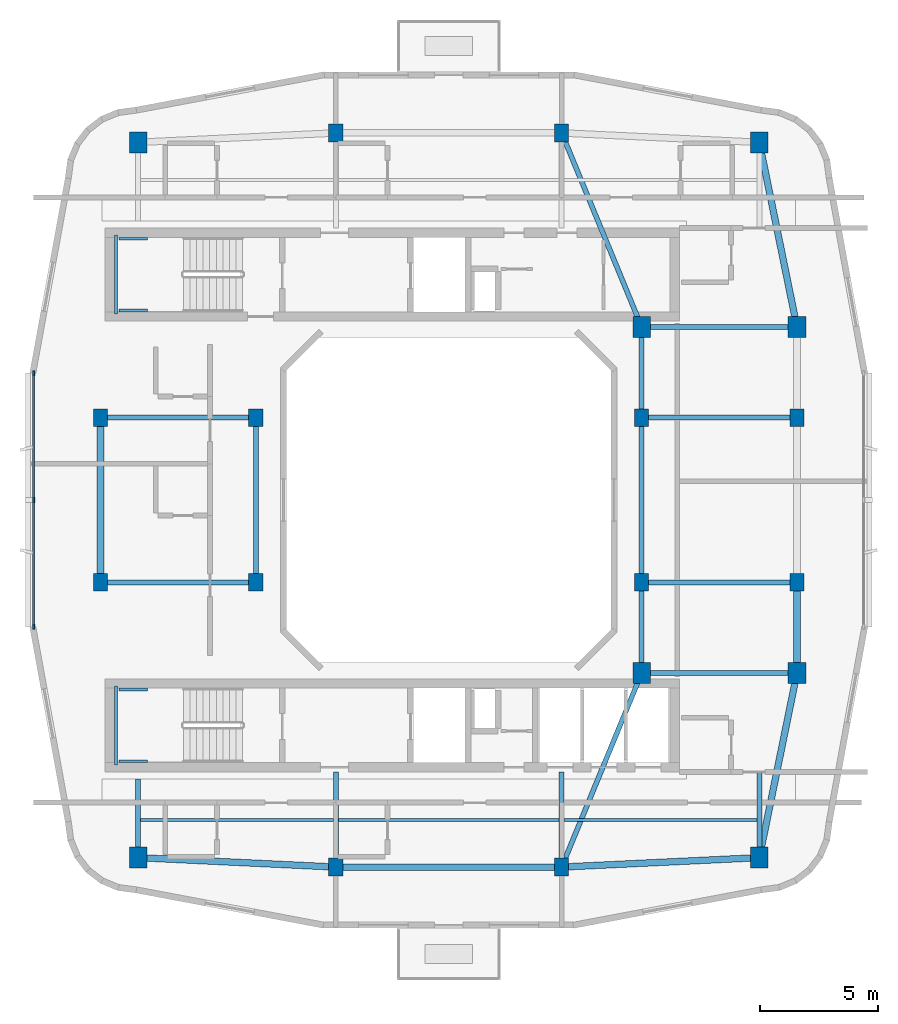
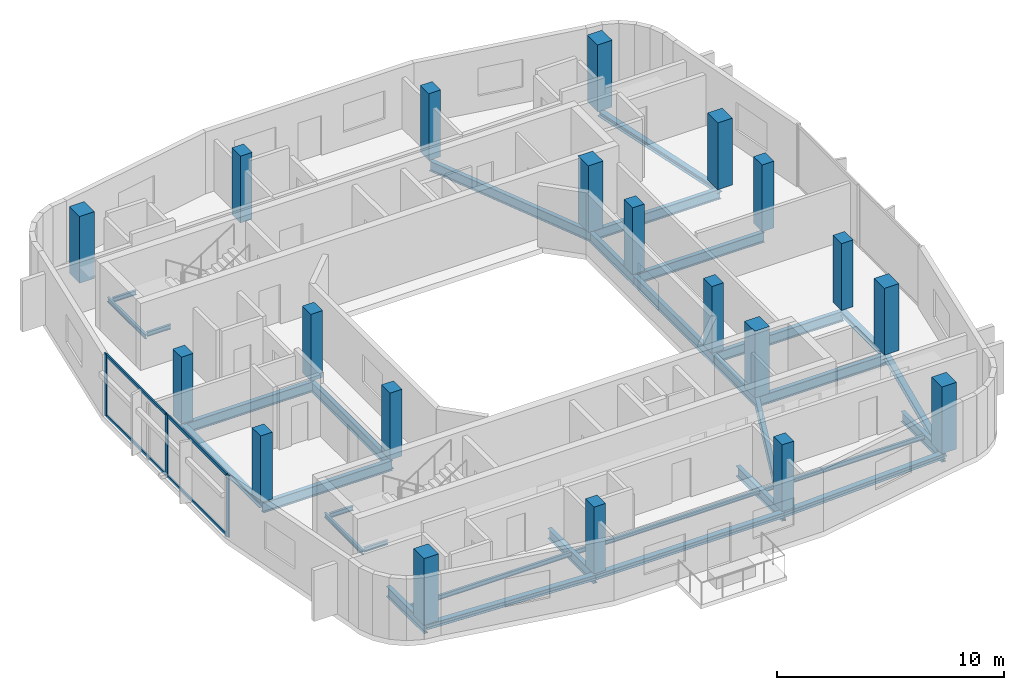
# One storey, part 1 of 10: 32 beams, 20 columns, 7 members, 1 element without a shape of its own.
"""IFC4 building model written with IfcOpenShell, lengths in metres."""

from ifc_helpers import new_model, si_unit, derived_unit, direction, frame, origin, origin_2d, place, context, subcontext, project, spatial, rectangle, i_section, extrude, material, layer, layer_set, material_profile, profile_set, type_object, element, aggregate, save


model = new_model("IFC4")

# Units and contexts
model_context = context("Model", 3, precision=1e-05, world=origin(), true_north=direction((0.0, 1.0)))
body_context = subcontext(model_context, "Body", "Model", "MODEL_VIEW")
ifc_project = project(units=[si_unit("LENGTHUNIT", "METRE"), si_unit("AREAUNIT", "SQUARE_METRE"), si_unit("VOLUMEUNIT", "CUBIC_METRE"), si_unit("PLANEANGLEUNIT", "RADIAN"), si_unit("MASSUNIT", "GRAM", prefix="KILO"), derived_unit("THERMALTRANSMITTANCEUNIT", [(si_unit("POWERUNIT", "WATT"), 1), (si_unit("LENGTHUNIT", "METRE"), -2), (si_unit("THERMODYNAMICTEMPERATUREUNIT", "KELVIN"), -1)])], contexts=[model_context])

# Site, building, storey
site_placement = place(None, origin())
site = spatial("IfcSite", under=ifc_project, at=site_placement, CompositionType="ELEMENT")
building_placement = place(site_placement, origin())
building = spatial("IfcBuilding", under=site, at=building_placement, Name="Kivonza Crest Hotel", CompositionType="ELEMENT")
storey_placement = place(building_placement, frame((0.0, 0.0, 254.0)))
storey = spatial("IfcBuildingStorey", under=building, at=storey_placement, Name="L69", CompositionType="ELEMENT", Elevation=254.0)

# Columns
ifc_material_1 = material(Name="Concrete C50/60", Category="concrete")
ifc_material_profile_1 = material_profile(ifc_material_1, rectangle(XDim=0.60009765625, YDim=0.75, at=origin_2d()), Name="RC 750x600")
ifc_profile_set_1 = profile_set([ifc_material_profile_1], Name="Concrete C50/60")
column_type_1 = type_object("IfcColumnType", Name="CL-RC-750x600", PredefinedType="COLUMN", material=ifc_profile_set_1)
for number, where, z_axis, x_axis, name in (
    (1, (16.199951171875, 9.39990234375, 0.0), (0.0, 0.0, 1.0), (1.0, 0.0, 0.0), "Tower T1 L69 column S1"),
    (2, (25.800048828125, 9.39990234375, 0.0), (0.0, 0.0, 1.0), (1.0, 0.0, 0.0), "Tower T1 L69 column S2"),
    (3, (16.199951171875, 40.60009765625, 0.0), (0.0, 0.0, 1.0), (1.0, 0.0, 0.0), "Tower T1 L69 column N1"),
    (4, (25.800048828125, 40.60009765625, 0.0), (0.0, 0.0, 1.0), (1.0, 0.0, 0.0), "Tower T1 L69 column N2"),
    (5, (6.199951171875, 21.5, 0.0), (0.0, 0.0, 1.0), (1.0, 0.0, 0.0), "Tower T1 L69 column W1"),
    (6, (6.199951171875, 28.5, 0.0), (0.0, 0.0, 1.0), (1.0, 0.0, 0.0), "Tower T1 L69 column W2"),
    (7, (35.800048828125, 21.5, 0.0), (0.0, 0.0, 1.0), (1.0, 0.0, 0.0), "Tower T1 L69 column E1"),
    (8, (35.800048828125, 28.5, 0.0), (0.0, 0.0, 1.0), (1.0, 0.0, 0.0), "Tower T1 L69 column E2"),
    (9, (12.800048828125, 21.5, 0.0), (0.0, 0.0, 1.0), (1.0, 0.0, 0.0), "Tower T1 L69 column WL1"),
    (10, (12.800048828125, 28.5, 0.0), (0.0, 0.0, 1.0), (1.0, 0.0, 0.0), "Tower T1 L69 column WL2"),
    (11, (29.199951171875, 21.5, 0.0), (0.0, 0.0, 1.0), (1.0, 0.0, 0.0), "Tower T1 L69 column WR1"),
    (12, (29.199951171875, 28.5, 0.0), (0.0, 0.0, 1.0), (1.0, 0.0, 0.0), "Tower T1 L69 column WR2"),
):
    element("IfcColumn", number, at=place(storey_placement, frame(where, z_axis=z_axis, x_axis=x_axis)), inside=storey, type_object=column_type_1, Name=name, PredefinedType="COLUMN", context=body_context, shape_type="SweptSolid", body=[
        extrude(rectangle(XDim=0.60009765625, YDim=0.75, at=origin_2d()), origin(), (0.0, 0.0, 1.0), 3.60009765625),
    ])
ifc_material_profile_2 = material_profile(ifc_material_1, rectangle(XDim=0.75, YDim=0.89990234375, at=origin_2d()), Name="RC 900x750")
ifc_profile_set_2 = profile_set([ifc_material_profile_2], Name="Concrete C50/60")
column_type_2 = type_object("IfcColumnType", Name="CL-RC-900x750", PredefinedType="COLUMN", material=ifc_profile_set_2)
for number, where, z_axis, x_axis, name in (
    (13, (7.800048828125, 9.800048828125, 0.0), (0.0, 0.0, 1.0), (1.0, 0.0, 0.0), "Tower T1 L69 column SW"),
    (14, (34.199951171875, 9.800048828125, 0.0), (0.0, 0.0, 1.0), (1.0, 0.0, 0.0), "Tower T1 L69 column SE"),
    (15, (34.199951171875, 40.199951171875, 0.0), (0.0, 0.0, 1.0), (1.0, 0.0, 0.0), "Tower T1 L69 column NE"),
    (16, (7.800048828125, 40.199951171875, 0.0), (0.0, 0.0, 1.0), (1.0, 0.0, 0.0), "Tower T1 L69 column NW"),
    (17, (35.800048828125, 17.64990234375, 0.0), (0.0, 0.0, 1.0), (1.0, 0.0, 0.0), "Tower T1 L69 column PSE"),
    (18, (35.800048828125, 32.35009765625, 0.0), (0.0, 0.0, 1.0), (1.0, 0.0, 0.0), "Tower T1 L69 column PNE"),
    (19, (29.199951171875, 17.64990234375, 0.0), (0.0, 0.0, 1.0), (1.0, 0.0, 0.0), "Tower T1 L69 column TSE"),
    (20, (29.199951171875, 32.35009765625, 0.0), (0.0, 0.0, 1.0), (1.0, 0.0, 0.0), "Tower T1 L69 column TNE"),
):
    element("IfcColumn", number, at=place(storey_placement, frame(where, z_axis=z_axis, x_axis=x_axis)), inside=storey, type_object=column_type_2, Name=name, PredefinedType="COLUMN", context=body_context, shape_type="SweptSolid", body=[
        extrude(rectangle(XDim=0.75, YDim=0.89990234375, at=origin_2d()), origin(), (0.0, 0.0, 1.0), 3.60009765625),
    ])

# Beams
ifc_material_2 = material(Name="Steel S355", Category="steel")
ifc_material_profile_3 = material_profile(ifc_material_2, i_section(OverallWidth=0.280029296875, OverallDepth=0.280029296875, WebThickness=0.010498046875, FlangeThickness=0.01806640625, FilletRadius=0.02392578125, at=origin_2d()), Name="HEB 280")
ifc_profile_set_3 = profile_set([ifc_material_profile_3], Name="Steel S355")
beam_type_1 = type_object("IfcBeamType", Name="BM-HEB280", PredefinedType="SPANDREL", material=ifc_profile_set_3)
beam_1_placement = place(storey_placement, frame((16.199951171875, 9.39990234375, -0.419921875), z_axis=(1.0, 0.0, 0.0), x_axis=(0.0, 1.0, 0.0)))
element("IfcBeam", 21, at=beam_1_placement, inside=storey, type_object=beam_type_1, Name="Tower T1 L69 perimeter spandrel S1-S2", PredefinedType="SPANDREL", context=body_context, shape_type="SweptSolid", body=[
    extrude(i_section(OverallWidth=0.280029296875, OverallDepth=0.280029296875, WebThickness=0.010498046875, FlangeThickness=0.01806640625, FilletRadius=0.02392578125, at=origin_2d()), origin(), (0.0, 0.0, 1.0), 9.60009765625),
])
beam_2_placement = place(storey_placement, frame((25.800048828125, 9.39990234375, -0.419921875), z_axis=(0.998867283688, 0.047583080799, 0.0), x_axis=(-0.047583080799, 0.998867283688, 0.0)))
element("IfcBeam", 22, at=beam_2_placement, inside=storey, type_object=beam_type_1, Name="Tower T1 L69 perimeter spandrel S2-SE", PredefinedType="SPANDREL", context=body_context, shape_type="SweptSolid", body=[
    extrude(i_section(OverallWidth=0.280029296875, OverallDepth=0.280029296875, WebThickness=0.010498046875, FlangeThickness=0.01806640625, FilletRadius=0.02392578125, at=origin_2d()), origin(), (0.0, 0.0, 1.0), 8.409423828125),
])
beam_3_placement = place(storey_placement, frame((34.199951171875, 9.800048828125, -0.419921875), z_axis=(0.199730733965, 0.979850822273, 0.0), x_axis=(-0.979850822273, 0.199730733965, 0.0)))
element("IfcBeam", 23, at=beam_3_placement, inside=storey, type_object=beam_type_1, Name="Tower T1 L69 perimeter spandrel SE-PSE", PredefinedType="SPANDREL", context=body_context, shape_type="SweptSolid", body=[
    extrude(i_section(OverallWidth=0.280029296875, OverallDepth=0.280029296875, WebThickness=0.010498046875, FlangeThickness=0.01806640625, FilletRadius=0.02392578125, at=origin_2d()), origin(), (0.0, 0.0, 1.0), 8.01123046875),
])
beam_4_placement = place(storey_placement, frame((35.800048828125, 17.64990234375, -0.419921875), z_axis=(0.0, 1.0, 0.0), x_axis=(-1.0, 0.0, 0.0)))
element("IfcBeam", 24, at=beam_4_placement, inside=storey, type_object=beam_type_1, Name="Tower T1 L69 perimeter spandrel PSE-E1", PredefinedType="SPANDREL", context=body_context, shape_type="SweptSolid", body=[
    extrude(i_section(OverallWidth=0.280029296875, OverallDepth=0.280029296875, WebThickness=0.010498046875, FlangeThickness=0.01806640625, FilletRadius=0.02392578125, at=origin_2d()), origin(), (0.0, 0.0, 1.0), 3.85009765625),
])
beam_5_placement = place(storey_placement, frame((35.800048828125, 32.35009765625, -0.419921875), z_axis=(-0.199730733965, 0.979850822273, 0.0), x_axis=(-0.979850822273, -0.199730733965, 0.0)))
element("IfcBeam", 25, at=beam_5_placement, inside=storey, type_object=beam_type_1, Name="Tower T1 L69 perimeter spandrel PNE-NE", PredefinedType="SPANDREL", context=body_context, shape_type="SweptSolid", body=[
    extrude(i_section(OverallWidth=0.280029296875, OverallDepth=0.280029296875, WebThickness=0.010498046875, FlangeThickness=0.01806640625, FilletRadius=0.02392578125, at=origin_2d()), origin(), (0.0, 0.0, 1.0), 8.01123046875),
])
beam_6_placement = place(storey_placement, frame((6.199951171875, 28.5, -0.419921875), z_axis=(0.0, -1.0, 0.0), x_axis=(1.0, 0.0, 0.0)))
element("IfcBeam", 26, at=beam_6_placement, inside=storey, type_object=beam_type_1, Name="Tower T1 L69 perimeter spandrel W2-W1", PredefinedType="SPANDREL", context=body_context, shape_type="SweptSolid", body=[
    extrude(i_section(OverallWidth=0.280029296875, OverallDepth=0.280029296875, WebThickness=0.010498046875, FlangeThickness=0.01806640625, FilletRadius=0.02392578125, at=origin_2d()), origin(), (0.0, 0.0, 1.0), 7.0),
])
beam_7_placement = place(storey_placement, frame((7.800048828125, 9.800048828125, -0.419921875), z_axis=(0.998867283688, -0.047583080799, 0.0), x_axis=(0.047583080799, 0.998867283688, 0.0)))
element("IfcBeam", 27, at=beam_7_placement, inside=storey, type_object=beam_type_1, Name="Tower T1 L69 perimeter spandrel SW-S1", PredefinedType="SPANDREL", context=body_context, shape_type="SweptSolid", body=[
    extrude(i_section(OverallWidth=0.280029296875, OverallDepth=0.280029296875, WebThickness=0.010498046875, FlangeThickness=0.01806640625, FilletRadius=0.02392578125, at=origin_2d()), origin(), (0.0, 0.0, 1.0), 8.409423828125),
])
ifc_material_profile_4 = material_profile(ifc_material_2, i_section(OverallWidth=0.1201171875, OverallDepth=0.239990234375, WebThickness=0.006103515625, FlangeThickness=0.009765625, FilletRadius=0.014892578125, at=origin_2d()), Name="IPE 240")
ifc_profile_set_4 = profile_set([ifc_material_profile_4], Name="Steel S355")
beam_type_2 = type_object("IfcBeamType", Name="BM-IPE240", PredefinedType="JOIST", material=ifc_profile_set_4)
beam_8_placement = place(storey_placement, frame((7.8798828125, 11.39990234375, -0.39990234375), z_axis=(1.0, 0.0, 0.0), x_axis=(0.0, 1.0, 0.0)))
element("IfcBeam", 28, at=beam_8_placement, inside=storey, type_object=beam_type_2, Name="Tower T1 L69 South-West floor joist", PredefinedType="JOIST", context=body_context, shape_type="SweptSolid", body=[
    extrude(i_section(OverallWidth=0.1201171875, OverallDepth=0.239990234375, WebThickness=0.006103515625, FlangeThickness=0.009765625, FilletRadius=0.014892578125, at=origin_2d()), origin(), (0.0, 0.0, 1.0), 8.240234375),
])
beam_9_placement = place(storey_placement, frame((16.280029296875, 11.39990234375, -0.39990234375), z_axis=(1.0, 0.0, 0.0), x_axis=(0.0, 1.0, 0.0)))
element("IfcBeam", 29, at=beam_9_placement, inside=storey, type_object=beam_type_2, Name="Tower T1 L69 South-Mid floor joist", PredefinedType="JOIST", context=body_context, shape_type="SweptSolid", body=[
    extrude(i_section(OverallWidth=0.1201171875, OverallDepth=0.239990234375, WebThickness=0.006103515625, FlangeThickness=0.009765625, FilletRadius=0.014892578125, at=origin_2d()), origin(), (0.0, 0.0, 1.0), 9.43994140625),
])
beam_10_placement = place(storey_placement, frame((25.8798828125, 11.39990234375, -0.39990234375), z_axis=(1.0, 0.0, 0.0), x_axis=(0.0, 1.0, 0.0)))
element("IfcBeam", 30, at=beam_10_placement, inside=storey, type_object=beam_type_2, Name="Tower T1 L69 South-East floor joist", PredefinedType="JOIST", context=body_context, shape_type="SweptSolid", body=[
    extrude(i_section(OverallWidth=0.1201171875, OverallDepth=0.239990234375, WebThickness=0.006103515625, FlangeThickness=0.009765625, FilletRadius=0.014892578125, at=origin_2d()), origin(), (0.0, 0.0, 1.0), 8.240234375),
])
ifc_material_profile_5 = material_profile(ifc_material_2, i_section(OverallWidth=0.2099609375, OverallDepth=0.550048828125, WebThickness=0.010986328125, FlangeThickness=0.01708984375, FilletRadius=0.02392578125, at=origin_2d()), Name="IPE 550")
ifc_profile_set_5 = profile_set([ifc_material_profile_5], Name="Steel S355")
beam_type_3 = type_object("IfcBeamType", Name="BM-IPE550", PredefinedType="BEAM", material=ifc_profile_set_5)
for number, where, z_axis, x_axis, name in (
    (31, (6.199951171875, 21.5, -0.554931640625), (1.0, 0.0, 0.0), (0.0, 1.0, 0.0), "Tower T1 L69 primary girder W1-WL1"),
    (32, (6.199951171875, 28.5, -0.554931640625), (1.0, 0.0, 0.0), (0.0, 1.0, 0.0), "Tower T1 L69 primary girder W2-WL2"),
):
    element("IfcBeam", number, at=place(storey_placement, frame(where, z_axis=z_axis, x_axis=x_axis)), inside=storey, type_object=beam_type_3, Name=name, PredefinedType="BEAM", context=body_context, shape_type="SweptSolid", body=[
        extrude(i_section(OverallWidth=0.2099609375, OverallDepth=0.550048828125, WebThickness=0.010986328125, FlangeThickness=0.01708984375, FilletRadius=0.02392578125, at=origin_2d()), origin(), (0.0, 0.0, 1.0), 6.60009765625),
    ])
beam_11_placement = place(storey_placement, frame((12.800048828125, 21.5, -0.554931640625), z_axis=(0.0, 1.0, 0.0), x_axis=(-1.0, 0.0, 0.0)))
element("IfcBeam", 33, at=beam_11_placement, inside=storey, type_object=beam_type_3, Name="Tower T1 L69 primary girder WL1-WL2", PredefinedType="BEAM", context=body_context, shape_type="SweptSolid", body=[
    extrude(i_section(OverallWidth=0.2099609375, OverallDepth=0.550048828125, WebThickness=0.010986328125, FlangeThickness=0.01708984375, FilletRadius=0.02392578125, at=origin_2d()), origin(), (0.0, 0.0, 1.0), 7.0),
])
for number, where, z_axis, x_axis, name in (
    (34, (25.800048828125, 9.39990234375, -0.554931640625), (0.381022260404, 0.924565864109, 0.0), (-0.924565864109, 0.381022260404, 0.0), "Tower T1 L69 primary girder S1-TSE"),
    (35, (25.800048828125, 40.60009765625, -0.554931640625), (0.381022260404, -0.924565864109, 0.0), (0.924565864109, 0.381022260404, 0.0), "Tower T1 L69 primary girder N1-TNE"),
):
    element("IfcBeam", number, at=place(storey_placement, frame(where, z_axis=z_axis, x_axis=x_axis)), inside=storey, type_object=beam_type_3, Name=name, PredefinedType="BEAM", context=body_context, shape_type="SweptSolid", body=[
        extrude(i_section(OverallWidth=0.2099609375, OverallDepth=0.550048828125, WebThickness=0.010986328125, FlangeThickness=0.01708984375, FilletRadius=0.02392578125, at=origin_2d()), origin(), (0.0, 0.0, 1.0), 8.923095703125),
    ])
for number, where, z_axis, x_axis, name in (
    (36, (29.199951171875, 17.64990234375, -0.554931640625), (1.0, 0.0, 0.0), (0.0, 1.0, 0.0), "Tower T1 L69 primary girder TSE-PSE"),
    (37, (29.199951171875, 32.35009765625, -0.554931640625), (1.0, 0.0, 0.0), (0.0, 1.0, 0.0), "Tower T1 L69 primary girder TNE-PNE"),
):
    element("IfcBeam", number, at=place(storey_placement, frame(where, z_axis=z_axis, x_axis=x_axis)), inside=storey, type_object=beam_type_3, Name=name, PredefinedType="BEAM", context=body_context, shape_type="SweptSolid", body=[
        extrude(i_section(OverallWidth=0.2099609375, OverallDepth=0.550048828125, WebThickness=0.010986328125, FlangeThickness=0.01708984375, FilletRadius=0.02392578125, at=origin_2d()), origin(), (0.0, 0.0, 1.0), 6.60009765625),
    ])
beam_12_placement = place(storey_placement, frame((29.199951171875, 21.5, -0.554931640625), z_axis=(0.0, 1.0, 0.0), x_axis=(-1.0, 0.0, 0.0)))
element("IfcBeam", 38, at=beam_12_placement, inside=storey, type_object=beam_type_3, Name="Tower T1 L69 primary girder WR1-WR2", PredefinedType="BEAM", context=body_context, shape_type="SweptSolid", body=[
    extrude(i_section(OverallWidth=0.2099609375, OverallDepth=0.550048828125, WebThickness=0.010986328125, FlangeThickness=0.01708984375, FilletRadius=0.02392578125, at=origin_2d()), origin(), (0.0, 0.0, 1.0), 7.0),
])
for number, where, z_axis, x_axis, name in (
    (39, (29.199951171875, 17.64990234375, -0.554931640625), (0.0, 1.0, 0.0), (-1.0, 0.0, 0.0), "Tower T1 L69 primary girder TSE-WR1"),
    (40, (29.199951171875, 28.5, -0.554931640625), (0.0, 1.0, 0.0), (-1.0, 0.0, 0.0), "Tower T1 L69 primary girder WR2-TNE"),
):
    element("IfcBeam", number, at=place(storey_placement, frame(where, z_axis=z_axis, x_axis=x_axis)), inside=storey, type_object=beam_type_3, Name=name, PredefinedType="BEAM", context=body_context, shape_type="SweptSolid", body=[
        extrude(i_section(OverallWidth=0.2099609375, OverallDepth=0.550048828125, WebThickness=0.010986328125, FlangeThickness=0.01708984375, FilletRadius=0.02392578125, at=origin_2d()), origin(), (0.0, 0.0, 1.0), 3.85009765625),
    ])
for number, where, z_axis, x_axis, name in (
    (41, (29.199951171875, 21.5, -0.554931640625), (1.0, 0.0, 0.0), (0.0, 1.0, 0.0), "Tower T1 L69 primary girder WR1-E1"),
    (42, (29.199951171875, 28.5, -0.554931640625), (1.0, 0.0, 0.0), (0.0, 1.0, 0.0), "Tower T1 L69 primary girder WR2-E2"),
):
    element("IfcBeam", number, at=place(storey_placement, frame(where, z_axis=z_axis, x_axis=x_axis)), inside=storey, type_object=beam_type_3, Name=name, PredefinedType="BEAM", context=body_context, shape_type="SweptSolid", body=[
        extrude(i_section(OverallWidth=0.2099609375, OverallDepth=0.550048828125, WebThickness=0.010986328125, FlangeThickness=0.01708984375, FilletRadius=0.02392578125, at=origin_2d()), origin(), (0.0, 0.0, 1.0), 6.60009765625),
    ])
beam_13_placement = place(storey_placement, frame((7.800048828125, 9.800048828125, -0.554931640625), z_axis=(0.0, 1.0, 0.0), x_axis=(-1.0, 0.0, 0.0)))
element("IfcBeam", 43, at=beam_13_placement, inside=storey, type_object=beam_type_3, Name="Tower T1 L69 radial core girder RSW", PredefinedType="BEAM", context=body_context, shape_type="SweptSolid", body=[
    extrude(i_section(OverallWidth=0.2099609375, OverallDepth=0.550048828125, WebThickness=0.010986328125, FlangeThickness=0.01708984375, FilletRadius=0.02392578125, at=origin_2d()), origin(), (0.0, 0.0, 1.0), 3.349853515625),
])
for number, where, z_axis, x_axis, name in (
    (44, (16.199951171875, 9.39990234375, -0.554931640625), (0.0, 1.0, 0.0), (-1.0, 0.0, 0.0), "Tower T1 L69 radial core girder RS1"),
    (45, (25.800048828125, 9.39990234375, -0.554931640625), (0.0, 1.0, 0.0), (-1.0, 0.0, 0.0), "Tower T1 L69 radial core girder RS2"),
):
    element("IfcBeam", number, at=place(storey_placement, frame(where, z_axis=z_axis, x_axis=x_axis)), inside=storey, type_object=beam_type_3, Name=name, PredefinedType="BEAM", context=body_context, shape_type="SweptSolid", body=[
        extrude(i_section(OverallWidth=0.2099609375, OverallDepth=0.550048828125, WebThickness=0.010986328125, FlangeThickness=0.01708984375, FilletRadius=0.02392578125, at=origin_2d()), origin(), (0.0, 0.0, 1.0), 4.050048828125),
    ])
beam_14_placement = place(storey_placement, frame((34.199951171875, 9.800048828125, -0.554931640625), z_axis=(0.0, 1.0, 0.0), x_axis=(-1.0, 0.0, 0.0)))
element("IfcBeam", 46, at=beam_14_placement, inside=storey, type_object=beam_type_3, Name="Tower T1 L69 radial core girder RSE", PredefinedType="BEAM", context=body_context, shape_type="SweptSolid", body=[
    extrude(i_section(OverallWidth=0.2099609375, OverallDepth=0.550048828125, WebThickness=0.010986328125, FlangeThickness=0.01708984375, FilletRadius=0.02392578125, at=origin_2d()), origin(), (0.0, 0.0, 1.0), 3.64990234375),
])
ifc_material_profile_6 = material_profile(ifc_material_2, i_section(OverallWidth=0.1201171875, OverallDepth=0.239990234375, WebThickness=0.006103515625, FlangeThickness=0.009765625, FilletRadius=0.014892578125, at=origin_2d()), Name="IPE 240")
ifc_profile_set_6 = profile_set([ifc_material_profile_6], Name="Steel S355")
beam_type_4 = type_object("IfcBeamType", Name="BM-LLDG-240", PredefinedType="BEAM", material=ifc_profile_set_6)
beam_15_placement = place(storey_placement, frame((6.860107421875, 32.89990234375, 1.47998046875), z_axis=(0.0, 1.0, 0.0), x_axis=(-1.0, 0.0, 0.0)))
element("IfcBeam", 47, at=beam_15_placement, inside=storey, type_object=beam_type_4, Name="Stair ST-T1-N L69 West landing corbel", PredefinedType="BEAM", context=body_context, shape_type="SweptSolid", body=[
    extrude(i_section(OverallWidth=0.1201171875, OverallDepth=0.239990234375, WebThickness=0.006103515625, FlangeThickness=0.009765625, FilletRadius=0.014892578125, at=origin_2d()), origin(), (0.0, 0.0, 1.0), 3.360107421875),
])
for number, where, z_axis, x_axis, name in (
    (48, (6.989990234375, 33.06005859375, 1.47998046875), (1.0, 0.0, 0.0), (0.0, 1.0, 0.0), "Stair ST-T1-N L69 South landing corbel"),
    (49, (6.989990234375, 36.10009765625, 1.47998046875), (1.0, 0.0, 0.0), (0.0, 1.0, 0.0), "Stair ST-T1-N L69 North landing corbel"),
):
    element("IfcBeam", number, at=place(storey_placement, frame(where, z_axis=z_axis, x_axis=x_axis)), inside=storey, type_object=beam_type_4, Name=name, PredefinedType="BEAM", context=body_context, shape_type="SweptSolid", body=[
        extrude(i_section(OverallWidth=0.1201171875, OverallDepth=0.239990234375, WebThickness=0.006103515625, FlangeThickness=0.009765625, FilletRadius=0.014892578125, at=origin_2d()), origin(), (0.0, 0.0, 1.0), 1.2099609375),
    ])
beam_16_placement = place(storey_placement, frame((6.860107421875, 13.739990234375, 1.47998046875), z_axis=(0.0, 1.0, 0.0), x_axis=(-1.0, 0.0, 0.0)))
element("IfcBeam", 50, at=beam_16_placement, inside=storey, type_object=beam_type_4, Name="Stair ST-T1-S L69 West landing corbel", PredefinedType="BEAM", context=body_context, shape_type="SweptSolid", body=[
    extrude(i_section(OverallWidth=0.1201171875, OverallDepth=0.239990234375, WebThickness=0.006103515625, FlangeThickness=0.009765625, FilletRadius=0.014892578125, at=origin_2d()), origin(), (0.0, 0.0, 1.0), 3.360107421875),
])
for number, where, z_axis, x_axis, name in (
    (51, (6.989990234375, 13.89990234375, 1.47998046875), (1.0, 0.0, 0.0), (0.0, 1.0, 0.0), "Stair ST-T1-S L69 South landing corbel"),
    (52, (6.989990234375, 16.93994140625, 1.47998046875), (1.0, 0.0, 0.0), (0.0, 1.0, 0.0), "Stair ST-T1-S L69 North landing corbel"),
):
    element("IfcBeam", number, at=place(storey_placement, frame(where, z_axis=z_axis, x_axis=x_axis)), inside=storey, type_object=beam_type_4, Name=name, PredefinedType="BEAM", context=body_context, shape_type="SweptSolid", body=[
        extrude(i_section(OverallWidth=0.1201171875, OverallDepth=0.239990234375, WebThickness=0.006103515625, FlangeThickness=0.009765625, FilletRadius=0.014892578125, at=origin_2d()), origin(), (0.0, 0.0, 1.0), 1.2099609375),
    ])

# Curtain wall, members
ifc_material_3 = material(Name="Anodised bronze aluminium and low-E double glazing", Category="aluminium")
ifc_layer = layer(ifc_material_3, 0.179931640625)
ifc_layer_set = layer_set([ifc_layer], Name="Anodised bronze aluminium and low-E double glazing")
curtain_wall_type = type_object("IfcCurtainWallType", Name="CW-SYS-3", PredefinedType="NOTDEFINED", material=ifc_layer_set)
curtain_wall_placement = place(storey_placement, origin())
curtain_wall = element("IfcCurtainWall", 53, at=curtain_wall_placement, inside=storey, type_object=curtain_wall_type, Name="L69 unitised curtain wall CW-T1-L69-35", PredefinedType="NOTDEFINED")
ifc_material_4 = material(Name="Anodised bronze aluminium", Category="aluminium")
ifc_material_profile_7 = material_profile(ifc_material_4, rectangle(XDim=0.074951171875, YDim=0.219970703125, at=origin_2d()), Name="CW-M 75x220")
ifc_profile_set_7 = profile_set([ifc_material_profile_7], Name="Anodised bronze aluminium")
member_type_1 = type_object("IfcMemberType", Name="CW-MUL-75x220", PredefinedType="MULLION", material=ifc_profile_set_7)
member_1_placement = place(storey_placement, frame((3.360107421875, 30.382568359375, 0.0), z_axis=(0.0, 0.0, 1.0), x_axis=(1.0, 0.0, 0.0)))
member_1 = element("IfcMember", 54, at=member_1_placement, type_object=member_type_1, Name="CW-3 mullion 1", PredefinedType="MULLION", context=body_context, shape_type="SweptSolid", body=[
    extrude(rectangle(XDim=0.074951171875, YDim=0.219970703125, at=origin_2d()), origin(), (0.0, 0.0, 1.0), 3.320068359375),
])
member_2_placement = place(storey_placement, frame((3.360107421875, 25.0, 0.0), z_axis=(0.0, 0.0, 1.0), x_axis=(1.0, 0.0, 0.0)))
member_2 = element("IfcMember", 55, at=member_2_placement, type_object=member_type_1, Name="CW-3 mullion 2", PredefinedType="MULLION", context=body_context, shape_type="SweptSolid", body=[
    extrude(rectangle(XDim=0.074951171875, YDim=0.219970703125, at=origin_2d()), origin(), (0.0, 0.0, 1.0), 3.320068359375),
])
member_3_placement = place(storey_placement, frame((3.360107421875, 19.617431640625, 0.0), z_axis=(0.0, 0.0, 1.0), x_axis=(1.0, 0.0, 0.0)))
member_3 = element("IfcMember", 56, at=member_3_placement, type_object=member_type_1, Name="CW-3 mullion 3", PredefinedType="MULLION", context=body_context, shape_type="SweptSolid", body=[
    extrude(rectangle(XDim=0.074951171875, YDim=0.219970703125, at=origin_2d()), origin(), (0.0, 0.0, 1.0), 3.320068359375),
])
ifc_material_profile_8 = material_profile(ifc_material_4, rectangle(XDim=0.074951171875, YDim=0.159912109375, at=origin_2d()), Name="CW-T 75x160")
ifc_profile_set_8 = profile_set([ifc_material_profile_8], Name="Anodised bronze aluminium")
member_type_2 = type_object("IfcMemberType", Name="CW-TRN-75x160", PredefinedType="USERDEFINED", material=ifc_profile_set_8)
member_4_placement = place(storey_placement, frame((3.360107421875, 30.344970703125, 0.03759765625), z_axis=(0.0, -1.0, 0.0), x_axis=(1.0, 0.0, 0.0)))
member_4 = element("IfcMember", 57, at=member_4_placement, type_object=member_type_2, Name="CW-3 transom 1.1", ObjectType="TRANSOM", PredefinedType="USERDEFINED", context=body_context, shape_type="SweptSolid", body=[
    extrude(rectangle(XDim=0.074951171875, YDim=0.159912109375, at=origin_2d()), origin(), (0.0, 0.0, 1.0), 5.307373046875),
])
member_5_placement = place(storey_placement, frame((3.360107421875, 30.344970703125, 3.282470703125), z_axis=(0.0, -1.0, 0.0), x_axis=(1.0, 0.0, 0.0)))
member_5 = element("IfcMember", 58, at=member_5_placement, type_object=member_type_2, Name="CW-3 transom 1.2", ObjectType="TRANSOM", PredefinedType="USERDEFINED", context=body_context, shape_type="SweptSolid", body=[
    extrude(rectangle(XDim=0.074951171875, YDim=0.159912109375, at=origin_2d()), origin(), (0.0, 0.0, 1.0), 5.307373046875),
])
member_6_placement = place(storey_placement, frame((3.360107421875, 24.96240234375, 0.03759765625), z_axis=(0.0, -1.0, 0.0), x_axis=(1.0, 0.0, 0.0)))
member_6 = element("IfcMember", 59, at=member_6_placement, type_object=member_type_2, Name="CW-3 transom 2.1", ObjectType="TRANSOM", PredefinedType="USERDEFINED", context=body_context, shape_type="SweptSolid", body=[
    extrude(rectangle(XDim=0.074951171875, YDim=0.159912109375, at=origin_2d()), origin(), (0.0, 0.0, 1.0), 5.307373046875),
])
member_7_placement = place(storey_placement, frame((3.360107421875, 24.96240234375, 3.282470703125), z_axis=(0.0, -1.0, 0.0), x_axis=(1.0, 0.0, 0.0)))
member_7 = element("IfcMember", 60, at=member_7_placement, type_object=member_type_2, Name="CW-3 transom 2.2", ObjectType="TRANSOM", PredefinedType="USERDEFINED", context=body_context, shape_type="SweptSolid", body=[
    extrude(rectangle(XDim=0.074951171875, YDim=0.159912109375, at=origin_2d()), origin(), (0.0, 0.0, 1.0), 5.307373046875),
])
aggregate(curtain_wall, [member_1, member_2, member_3, member_4, member_5, member_6, member_7])

save(model, "model.ifc")
